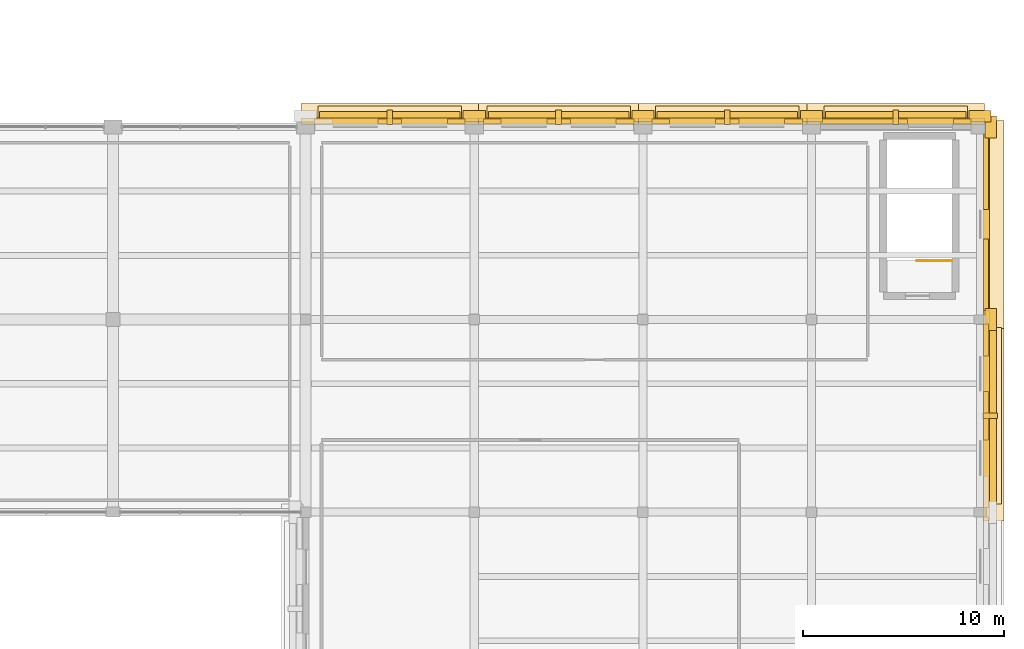
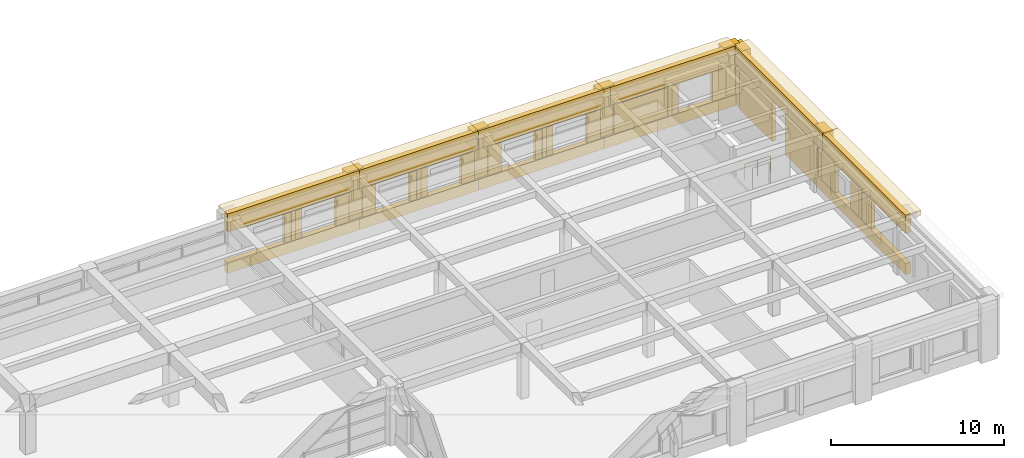
# One storey, part 62 of 62: 47 coverings, 5 shading devices, 1 railing.
"""IFC4 building model written with IfcOpenShell, lengths in metres."""

from ifc_helpers import new_model, si_unit, direction, frame, origin, origin_2d, place, context, subcontext, project, spatial, rectangle, circle, extrude, material, layer, layer_set, type_object, element, save


model = new_model("IFC4")

# Units and contexts
model_context = context("Model", 3, precision=1e-05, world=origin(), true_north=direction((0.0, 1.0)))
body_context = subcontext(model_context, "Body", "Model", "MODEL_VIEW")
ifc_project = project(units=[si_unit("LENGTHUNIT", "METRE"), si_unit("AREAUNIT", "SQUARE_METRE"), si_unit("VOLUMEUNIT", "CUBIC_METRE"), si_unit("PLANEANGLEUNIT", "RADIAN"), si_unit("MASSUNIT", "GRAM", prefix="KILO")], contexts=[model_context])

# Site, building, storey
site_placement = place(None, origin())
site = spatial("IfcSite", under=ifc_project, at=site_placement, CompositionType="ELEMENT")
building_placement = place(site_placement, origin())
building = spatial("IfcBuilding", under=site, at=building_placement, Name="Bempovik Park Faculty of Sciences", CompositionType="ELEMENT")
storey_placement = place(building_placement, frame((0.0, 0.0, 9.89990234375)))
storey = spatial("IfcBuildingStorey", under=building, at=storey_placement, Name="L02", CompositionType="ELEMENT", Elevation=9.89990234375)

# Coverings
ifc_material_1 = material(Name="Precast concrete C40/50", Category="concrete")
ifc_layer_1 = layer(ifc_material_1, 0.179931640625)
ifc_layer_set_1 = layer_set([ifc_layer_1], Name="Precast concrete C40/50")
covering_type_1 = type_object("IfcCoveringType", Name="CL-02 Classical Cornice Band 180mm", PredefinedType="CLADDING", material=ifc_layer_set_1)
covering_1_placement = place(storey_placement, frame((141.0, 87.635009765625, 3.83984375), z_axis=(0.0, 0.0, 1.0), x_axis=(1.0, 0.0, 0.0)))
element("IfcCovering", 1, at=covering_1_placement, inside=storey, type_object=covering_type_1, Name="L02 Classical Projecting Dentil Cornice EW-L02-7757", PredefinedType="CLADDING", context=body_context, shape_type="SweptSolid", body=[
    extrude(rectangle(XDim=8.845947265625, YDim=1.050048828125, at=origin_2d()), origin(), (0.0, 0.0, 1.0), 0.360107421875),
])
covering_2_placement = place(storey_placement, frame((141.0, 87.570068359375, 2.91015625), z_axis=(0.0, 0.0, 1.0), x_axis=(1.0, 0.0, 0.0)))
element("IfcCovering", 2, at=covering_2_placement, inside=storey, type_object=covering_type_1, Name="L02 Classical Stone Solar Window Hood EW-L02-7757", PredefinedType="CLADDING", context=body_context, shape_type="SweptSolid", body=[
    extrude(rectangle(XDim=7.14599609375, YDim=0.919921875, at=origin_2d()), origin(), (0.0, 0.0, 1.0), 0.219970703125),
])
covering_3_placement = place(storey_placement, frame((149.39990234375, 87.635009765625, 3.83984375), z_axis=(0.0, 0.0, 1.0), x_axis=(1.0, 0.0, 0.0)))
element("IfcCovering", 3, at=covering_3_placement, inside=storey, type_object=covering_type_1, Name="L02 Classical Projecting Dentil Cornice EW-L02-7771", PredefinedType="CLADDING", context=body_context, shape_type="SweptSolid", body=[
    extrude(rectangle(XDim=8.845947265625, YDim=1.050048828125, at=origin_2d()), origin(), (0.0, 0.0, 1.0), 0.360107421875),
])
covering_4_placement = place(storey_placement, frame((149.39990234375, 87.570068359375, 2.91015625), z_axis=(0.0, 0.0, 1.0), x_axis=(1.0, 0.0, 0.0)))
element("IfcCovering", 4, at=covering_4_placement, inside=storey, type_object=covering_type_1, Name="L02 Classical Stone Solar Window Hood EW-L02-7771", PredefinedType="CLADDING", context=body_context, shape_type="SweptSolid", body=[
    extrude(rectangle(XDim=7.14599609375, YDim=0.919921875, at=origin_2d()), origin(), (0.0, 0.0, 1.0), 0.219970703125),
])
covering_5_placement = place(storey_placement, frame((157.800048828125, 87.635009765625, 3.83984375), z_axis=(0.0, 0.0, 1.0), x_axis=(1.0, 0.0, 0.0)))
element("IfcCovering", 5, at=covering_5_placement, inside=storey, type_object=covering_type_1, Name="L02 Classical Projecting Dentil Cornice EW-L02-7784", PredefinedType="CLADDING", context=body_context, shape_type="SweptSolid", body=[
    extrude(rectangle(XDim=8.845947265625, YDim=1.050048828125, at=origin_2d()), origin(), (0.0, 0.0, 1.0), 0.360107421875),
])
covering_6_placement = place(storey_placement, frame((157.800048828125, 87.570068359375, 2.91015625), z_axis=(0.0, 0.0, 1.0), x_axis=(1.0, 0.0, 0.0)))
element("IfcCovering", 6, at=covering_6_placement, inside=storey, type_object=covering_type_1, Name="L02 Classical Stone Solar Window Hood EW-L02-7784", PredefinedType="CLADDING", context=body_context, shape_type="SweptSolid", body=[
    extrude(rectangle(XDim=7.14599609375, YDim=0.919921875, at=origin_2d()), origin(), (0.0, 0.0, 1.0), 0.219970703125),
])
covering_7_placement = place(storey_placement, frame((166.199951171875, 87.635009765625, 3.83984375), z_axis=(0.0, 0.0, 1.0), x_axis=(1.0, 0.0, 0.0)))
element("IfcCovering", 7, at=covering_7_placement, inside=storey, type_object=covering_type_1, Name="L02 Classical Projecting Dentil Cornice EW-L02-7797", PredefinedType="CLADDING", context=body_context, shape_type="SweptSolid", body=[
    extrude(rectangle(XDim=8.845947265625, YDim=1.050048828125, at=origin_2d()), origin(), (0.0, 0.0, 1.0), 0.360107421875),
])
covering_8_placement = place(storey_placement, frame((166.199951171875, 87.570068359375, 2.91015625), z_axis=(0.0, 0.0, 1.0), x_axis=(1.0, 0.0, 0.0)))
element("IfcCovering", 8, at=covering_8_placement, inside=storey, type_object=covering_type_1, Name="L02 Classical Stone Solar Window Hood EW-L02-7797", PredefinedType="CLADDING", context=body_context, shape_type="SweptSolid", body=[
    extrude(rectangle(XDim=7.14599609375, YDim=0.919921875, at=origin_2d()), origin(), (0.0, 0.0, 1.0), 0.219970703125),
])
covering_9_placement = place(storey_placement, frame((171.06494140625, 72.60009765625, 3.83984375), z_axis=(0.0, 0.0, 1.0), x_axis=(1.0, 0.0, 0.0)))
element("IfcCovering", 9, at=covering_9_placement, inside=storey, type_object=covering_type_1, Name="L02 Classical Projecting Dentil Cornice EW-L02-7822", PredefinedType="CLADDING", context=body_context, shape_type="SweptSolid", body=[
    extrude(rectangle(XDim=1.050048828125, YDim=10.486083984375, at=origin_2d()), origin(), (0.0, 0.0, 1.0), 0.360107421875),
])
covering_10_placement = place(storey_placement, frame((171.0, 72.60009765625, 2.91015625), z_axis=(0.0, 0.0, 1.0), x_axis=(1.0, 0.0, 0.0)))
element("IfcCovering", 10, at=covering_10_placement, inside=storey, type_object=covering_type_1, Name="L02 Classical Stone Solar Window Hood EW-L02-7822", PredefinedType="CLADDING", context=body_context, shape_type="SweptSolid", body=[
    extrude(rectangle(XDim=0.919921875, YDim=8.785888671875, at=origin_2d()), origin(), (0.0, 0.0, 1.0), 0.219970703125),
])
covering_11_placement = place(storey_placement, frame((171.06494140625, 82.139892578125, 3.83984375), z_axis=(0.0, 0.0, 1.0), x_axis=(1.0, 0.0, 0.0)))
element("IfcCovering", 11, at=covering_11_placement, inside=storey, type_object=covering_type_1, Name="L02 Classical Projecting Dentil Cornice EW-L02-7835", PredefinedType="CLADDING", context=body_context, shape_type="SweptSolid", body=[
    extrude(rectangle(XDim=1.050048828125, YDim=10.365966796875, at=origin_2d()), origin(), (0.0, 0.0, 1.0), 0.360107421875),
])
ifc_material_2 = material(Name="White reconstituted limestone precast C40/50", Category="masonry")
ifc_layer_2 = layer(ifc_material_2, 0.239990234375)
ifc_layer_set_2 = layer_set([ifc_layer_2], Name="White reconstituted limestone precast C40/50")
covering_type_2 = type_object("IfcCoveringType", Name="CL-03 Classical Fluted Limestone Pilaster 240mm", PredefinedType="CLADDING", material=ifc_layer_set_2)
covering_12_placement = place(storey_placement, frame((141.0, 87.280029296875, 2.919921875), z_axis=(0.0, 0.0, 1.0), x_axis=(1.0, 0.0, 0.0)))
element("IfcCovering", 12, at=covering_12_placement, inside=storey, type_object=covering_type_2, Name="L02 Classical Limestone Spandrel Entablature EW-L02-7757", PredefinedType="CLADDING", context=body_context, shape_type="SweptSolid", body=[
    extrude(rectangle(XDim=8.845947265625, YDim=0.340087890625, at=origin_2d()), origin(), (0.0, 0.0, 1.0), 1.280029296875),
])
covering_13_placement = place(storey_placement, frame((141.0, 87.280029296875, 0.0), z_axis=(0.0, 0.0, 1.0), x_axis=(1.0, 0.0, 0.0)))
element("IfcCovering", 13, at=covering_13_placement, inside=storey, type_object=covering_type_2, Name="L02 Classical Limestone Sill Dado EW-L02-7757", PredefinedType="CLADDING", context=body_context, shape_type="SweptSolid", body=[
    extrude(rectangle(XDim=8.845947265625, YDim=0.340087890625, at=origin_2d()), origin(), (0.0, 0.0, 1.0), 0.780029296875),
])
covering_14_placement = place(storey_placement, frame((145.199951171875, 87.530029296875, 0.0), z_axis=(0.0, 0.0, 1.0), x_axis=(1.0, 0.0, 0.0)))
element("IfcCovering", 14, at=covering_14_placement, inside=storey, type_object=covering_type_2, Name="L02 Classical Fluted Stone Pilaster PIL-BA-L02-1452-875", PredefinedType="CLADDING", context=body_context, shape_type="SweptSolid", body=[
    extrude(rectangle(XDim=1.10009765625, YDim=0.580078125, at=origin_2d()), origin(), (0.0, 0.0, 1.0), 4.199951171875),
])
covering_15_placement = place(storey_placement, frame((141.0, 87.27001953125, 0.0), z_axis=(0.0, 0.0, 1.0), x_axis=(1.0, 0.0, 0.0)))
element("IfcCovering", 15, at=covering_15_placement, inside=storey, type_object=covering_type_2, Name="L02 White Limestone Wall Cheek EW-L02-7757-2", PredefinedType="CLADDING", context=body_context, shape_type="SweptSolid", body=[
    extrude(rectangle(XDim=1.168212890625, YDim=0.239990234375, at=origin_2d()), origin(), (0.0, 0.0, 1.0), 3.080078125),
])
covering_16_placement = place(storey_placement, frame((144.305908203125, 87.27001953125, 0.0), z_axis=(0.0, 0.0, 1.0), x_axis=(1.0, 0.0, 0.0)))
element("IfcCovering", 16, at=covering_16_placement, inside=storey, type_object=covering_type_2, Name="L02 White Limestone Wall Cheek EW-L02-7757-4", PredefinedType="CLADDING", context=body_context, shape_type="SweptSolid", body=[
    extrude(rectangle(XDim=0.8837890625, YDim=0.239990234375, at=origin_2d()), origin(), (0.0, 0.0, 1.0), 3.080078125),
])
covering_17_placement = place(storey_placement, frame((141.0, 87.47998046875, 0.64990234375), z_axis=(0.0, 0.0, 1.0), x_axis=(1.0, 0.0, 0.0)))
element("IfcCovering", 17, at=covering_17_placement, inside=storey, type_object=covering_type_2, Name="L02 Classical Vertical Stone Shading Fin EW-L02-7757", PredefinedType="CLADDING", context=body_context, shape_type="SweptSolid", body=[
    extrude(rectangle(XDim=0.280029296875, YDim=0.719970703125, at=origin_2d()), origin(), (0.0, 0.0, 1.0), 2.300048828125),
])
covering_18_placement = place(storey_placement, frame((149.39990234375, 87.280029296875, 2.919921875), z_axis=(0.0, 0.0, 1.0), x_axis=(1.0, 0.0, 0.0)))
element("IfcCovering", 18, at=covering_18_placement, inside=storey, type_object=covering_type_2, Name="L02 Classical Limestone Spandrel Entablature EW-L02-7771", PredefinedType="CLADDING", context=body_context, shape_type="SweptSolid", body=[
    extrude(rectangle(XDim=8.845947265625, YDim=0.340087890625, at=origin_2d()), origin(), (0.0, 0.0, 1.0), 1.280029296875),
])
covering_19_placement = place(storey_placement, frame((149.39990234375, 87.280029296875, 0.0), z_axis=(0.0, 0.0, 1.0), x_axis=(1.0, 0.0, 0.0)))
element("IfcCovering", 19, at=covering_19_placement, inside=storey, type_object=covering_type_2, Name="L02 Classical Limestone Sill Dado EW-L02-7771", PredefinedType="CLADDING", context=body_context, shape_type="SweptSolid", body=[
    extrude(rectangle(XDim=8.845947265625, YDim=0.340087890625, at=origin_2d()), origin(), (0.0, 0.0, 1.0), 0.780029296875),
])
covering_20_placement = place(storey_placement, frame((153.60009765625, 87.530029296875, 0.0), z_axis=(0.0, 0.0, 1.0), x_axis=(1.0, 0.0, 0.0)))
element("IfcCovering", 20, at=covering_20_placement, inside=storey, type_object=covering_type_2, Name="L02 Classical Fluted Stone Pilaster PIL-BA-L02-1536-875", PredefinedType="CLADDING", context=body_context, shape_type="SweptSolid", body=[
    extrude(rectangle(XDim=1.10009765625, YDim=0.580078125, at=origin_2d()), origin(), (0.0, 0.0, 1.0), 4.199951171875),
])
covering_21_placement = place(storey_placement, frame((146.093994140625, 87.27001953125, 0.0), z_axis=(0.0, 0.0, 1.0), x_axis=(1.0, 0.0, 0.0)))
element("IfcCovering", 21, at=covering_21_placement, inside=storey, type_object=covering_type_2, Name="L02 White Limestone Wall Cheek EW-L02-7771-0", PredefinedType="CLADDING", context=body_context, shape_type="SweptSolid", body=[
    extrude(rectangle(XDim=0.8837890625, YDim=0.239990234375, at=origin_2d()), origin(), (0.0, 0.0, 1.0), 3.080078125),
])
covering_22_placement = place(storey_placement, frame((149.39990234375, 87.27001953125, 0.0), z_axis=(0.0, 0.0, 1.0), x_axis=(1.0, 0.0, 0.0)))
element("IfcCovering", 22, at=covering_22_placement, inside=storey, type_object=covering_type_2, Name="L02 White Limestone Wall Cheek EW-L02-7771-2", PredefinedType="CLADDING", context=body_context, shape_type="SweptSolid", body=[
    extrude(rectangle(XDim=1.168212890625, YDim=0.239990234375, at=origin_2d()), origin(), (0.0, 0.0, 1.0), 3.080078125),
])
covering_23_placement = place(storey_placement, frame((152.7060546875, 87.27001953125, 0.0), z_axis=(0.0, 0.0, 1.0), x_axis=(1.0, 0.0, 0.0)))
element("IfcCovering", 23, at=covering_23_placement, inside=storey, type_object=covering_type_2, Name="L02 White Limestone Wall Cheek EW-L02-7771-4", PredefinedType="CLADDING", context=body_context, shape_type="SweptSolid", body=[
    extrude(rectangle(XDim=0.8837890625, YDim=0.239990234375, at=origin_2d()), origin(), (0.0, 0.0, 1.0), 3.080078125),
])
covering_24_placement = place(storey_placement, frame((149.39990234375, 87.47998046875, 0.64990234375), z_axis=(0.0, 0.0, 1.0), x_axis=(1.0, 0.0, 0.0)))
element("IfcCovering", 24, at=covering_24_placement, inside=storey, type_object=covering_type_2, Name="L02 Classical Vertical Stone Shading Fin EW-L02-7771", PredefinedType="CLADDING", context=body_context, shape_type="SweptSolid", body=[
    extrude(rectangle(XDim=0.280029296875, YDim=0.719970703125, at=origin_2d()), origin(), (0.0, 0.0, 1.0), 2.300048828125),
])
covering_25_placement = place(storey_placement, frame((157.800048828125, 87.280029296875, 2.919921875), z_axis=(0.0, 0.0, 1.0), x_axis=(1.0, 0.0, 0.0)))
element("IfcCovering", 25, at=covering_25_placement, inside=storey, type_object=covering_type_2, Name="L02 Classical Limestone Spandrel Entablature EW-L02-7784", PredefinedType="CLADDING", context=body_context, shape_type="SweptSolid", body=[
    extrude(rectangle(XDim=8.845947265625, YDim=0.340087890625, at=origin_2d()), origin(), (0.0, 0.0, 1.0), 1.280029296875),
])
covering_26_placement = place(storey_placement, frame((157.800048828125, 87.280029296875, 0.0), z_axis=(0.0, 0.0, 1.0), x_axis=(1.0, 0.0, 0.0)))
element("IfcCovering", 26, at=covering_26_placement, inside=storey, type_object=covering_type_2, Name="L02 Classical Limestone Sill Dado EW-L02-7784", PredefinedType="CLADDING", context=body_context, shape_type="SweptSolid", body=[
    extrude(rectangle(XDim=8.845947265625, YDim=0.340087890625, at=origin_2d()), origin(), (0.0, 0.0, 1.0), 0.780029296875),
])
covering_27_placement = place(storey_placement, frame((162.0, 87.530029296875, 0.0), z_axis=(0.0, 0.0, 1.0), x_axis=(1.0, 0.0, 0.0)))
element("IfcCovering", 27, at=covering_27_placement, inside=storey, type_object=covering_type_2, Name="L02 Classical Fluted Stone Pilaster PIL-BA-L02-1620-875", PredefinedType="CLADDING", context=body_context, shape_type="SweptSolid", body=[
    extrude(rectangle(XDim=1.10009765625, YDim=0.580078125, at=origin_2d()), origin(), (0.0, 0.0, 1.0), 4.199951171875),
])
covering_28_placement = place(storey_placement, frame((154.493896484375, 87.27001953125, 0.0), z_axis=(0.0, 0.0, 1.0), x_axis=(1.0, 0.0, 0.0)))
element("IfcCovering", 28, at=covering_28_placement, inside=storey, type_object=covering_type_2, Name="L02 White Limestone Wall Cheek EW-L02-7784-0", PredefinedType="CLADDING", context=body_context, shape_type="SweptSolid", body=[
    extrude(rectangle(XDim=0.8837890625, YDim=0.239990234375, at=origin_2d()), origin(), (0.0, 0.0, 1.0), 3.080078125),
])
covering_29_placement = place(storey_placement, frame((157.800048828125, 87.27001953125, 0.0), z_axis=(0.0, 0.0, 1.0), x_axis=(1.0, 0.0, 0.0)))
element("IfcCovering", 29, at=covering_29_placement, inside=storey, type_object=covering_type_2, Name="L02 White Limestone Wall Cheek EW-L02-7784-2", PredefinedType="CLADDING", context=body_context, shape_type="SweptSolid", body=[
    extrude(rectangle(XDim=1.168212890625, YDim=0.239990234375, at=origin_2d()), origin(), (0.0, 0.0, 1.0), 3.080078125),
])
covering_30_placement = place(storey_placement, frame((161.10595703125, 87.27001953125, 0.0), z_axis=(0.0, 0.0, 1.0), x_axis=(1.0, 0.0, 0.0)))
element("IfcCovering", 30, at=covering_30_placement, inside=storey, type_object=covering_type_2, Name="L02 White Limestone Wall Cheek EW-L02-7784-4", PredefinedType="CLADDING", context=body_context, shape_type="SweptSolid", body=[
    extrude(rectangle(XDim=0.8837890625, YDim=0.239990234375, at=origin_2d()), origin(), (0.0, 0.0, 1.0), 3.080078125),
])
covering_31_placement = place(storey_placement, frame((157.800048828125, 87.47998046875, 0.64990234375), z_axis=(0.0, 0.0, 1.0), x_axis=(1.0, 0.0, 0.0)))
element("IfcCovering", 31, at=covering_31_placement, inside=storey, type_object=covering_type_2, Name="L02 Classical Vertical Stone Shading Fin EW-L02-7784", PredefinedType="CLADDING", context=body_context, shape_type="SweptSolid", body=[
    extrude(rectangle(XDim=0.280029296875, YDim=0.719970703125, at=origin_2d()), origin(), (0.0, 0.0, 1.0), 2.300048828125),
])
covering_32_placement = place(storey_placement, frame((166.199951171875, 87.280029296875, 2.919921875), z_axis=(0.0, 0.0, 1.0), x_axis=(1.0, 0.0, 0.0)))
element("IfcCovering", 32, at=covering_32_placement, inside=storey, type_object=covering_type_2, Name="L02 Classical Limestone Spandrel Entablature EW-L02-7797", PredefinedType="CLADDING", context=body_context, shape_type="SweptSolid", body=[
    extrude(rectangle(XDim=8.845947265625, YDim=0.340087890625, at=origin_2d()), origin(), (0.0, 0.0, 1.0), 1.280029296875),
])
covering_33_placement = place(storey_placement, frame((166.199951171875, 87.280029296875, 0.0), z_axis=(0.0, 0.0, 1.0), x_axis=(1.0, 0.0, 0.0)))
element("IfcCovering", 33, at=covering_33_placement, inside=storey, type_object=covering_type_2, Name="L02 Classical Limestone Sill Dado EW-L02-7797", PredefinedType="CLADDING", context=body_context, shape_type="SweptSolid", body=[
    extrude(rectangle(XDim=8.845947265625, YDim=0.340087890625, at=origin_2d()), origin(), (0.0, 0.0, 1.0), 0.780029296875),
])
covering_34_placement = place(storey_placement, frame((170.39990234375, 87.530029296875, 0.0), z_axis=(0.0, 0.0, 1.0), x_axis=(1.0, 0.0, 0.0)))
element("IfcCovering", 34, at=covering_34_placement, inside=storey, type_object=covering_type_2, Name="L02 Classical Fluted Stone Pilaster PIL-BA-L02-1704-875", PredefinedType="CLADDING", context=body_context, shape_type="SweptSolid", body=[
    extrude(rectangle(XDim=1.10009765625, YDim=0.580078125, at=origin_2d()), origin(), (0.0, 0.0, 1.0), 4.199951171875),
])
covering_35_placement = place(storey_placement, frame((164.6181640625, 87.27001953125, 0.0), z_axis=(0.0, 0.0, 1.0), x_axis=(1.0, 0.0, 0.0)))
element("IfcCovering", 35, at=covering_35_placement, inside=storey, type_object=covering_type_2, Name="L02 White Limestone Wall Cheek EW-L02-7797-0", PredefinedType="CLADDING", context=body_context, shape_type="SweptSolid", body=[
    extrude(rectangle(XDim=4.33203125, YDim=0.239990234375, at=origin_2d()), origin(), (0.0, 0.0, 1.0), 3.080078125),
])
covering_36_placement = place(storey_placement, frame((169.506103515625, 87.27001953125, 0.0), z_axis=(0.0, 0.0, 1.0), x_axis=(1.0, 0.0, 0.0)))
element("IfcCovering", 36, at=covering_36_placement, inside=storey, type_object=covering_type_2, Name="L02 White Limestone Wall Cheek EW-L02-7797-2", PredefinedType="CLADDING", context=body_context, shape_type="SweptSolid", body=[
    extrude(rectangle(XDim=0.8837890625, YDim=0.239990234375, at=origin_2d()), origin(), (0.0, 0.0, 1.0), 3.080078125),
])
covering_37_placement = place(storey_placement, frame((166.199951171875, 87.47998046875, 0.64990234375), z_axis=(0.0, 0.0, 1.0), x_axis=(1.0, 0.0, 0.0)))
element("IfcCovering", 37, at=covering_37_placement, inside=storey, type_object=covering_type_2, Name="L02 Classical Vertical Stone Shading Fin EW-L02-7797", PredefinedType="CLADDING", context=body_context, shape_type="SweptSolid", body=[
    extrude(rectangle(XDim=0.280029296875, YDim=0.719970703125, at=origin_2d()), origin(), (0.0, 0.0, 1.0), 2.300048828125),
])
covering_38_placement = place(storey_placement, frame((170.7099609375, 72.60009765625, 2.919921875), z_axis=(0.0, 0.0, 1.0), x_axis=(1.0, 0.0, 0.0)))
element("IfcCovering", 38, at=covering_38_placement, inside=storey, type_object=covering_type_2, Name="L02 Classical Limestone Spandrel Entablature EW-L02-7822", PredefinedType="CLADDING", context=body_context, shape_type="SweptSolid", body=[
    extrude(rectangle(XDim=0.340087890625, YDim=10.486083984375, at=origin_2d()), origin(), (0.0, 0.0, 1.0), 1.280029296875),
])
covering_39_placement = place(storey_placement, frame((170.7099609375, 72.60009765625, 0.0), z_axis=(0.0, 0.0, 1.0), x_axis=(1.0, 0.0, 0.0)))
element("IfcCovering", 39, at=covering_39_placement, inside=storey, type_object=covering_type_2, Name="L02 Classical Limestone Sill Dado EW-L02-7822", PredefinedType="CLADDING", context=body_context, shape_type="SweptSolid", body=[
    extrude(rectangle(XDim=0.340087890625, YDim=10.486083984375, at=origin_2d()), origin(), (0.0, 0.0, 1.0), 0.780029296875),
])
covering_40_placement = place(storey_placement, frame((170.929931640625, 77.39990234375, 0.0), z_axis=(0.0, 0.0, 1.0), x_axis=(1.0, 0.0, 0.0)))
element("IfcCovering", 40, at=covering_40_placement, inside=storey, type_object=covering_type_2, Name="L02 Classical Fluted Stone Pilaster PIL-BA-L02-1709-774", PredefinedType="CLADDING", context=body_context, shape_type="SweptSolid", body=[
    extrude(rectangle(XDim=0.580078125, YDim=1.10009765625, at=origin_2d()), origin(), (0.0, 0.0, 1.0), 4.199951171875),
])
covering_41_placement = place(storey_placement, frame((170.699951171875, 72.60009765625, 0.0), z_axis=(0.0, 0.0, 1.0), x_axis=(1.0, 0.0, 0.0)))
element("IfcCovering", 41, at=covering_41_placement, inside=storey, type_object=covering_type_2, Name="L02 White Limestone Wall Cheek EW-L02-7822-2", PredefinedType="CLADDING", context=body_context, shape_type="SweptSolid", body=[
    extrude(rectangle(XDim=0.239990234375, YDim=2.422607421875, at=origin_2d()), origin(), (0.0, 0.0, 1.0), 3.080078125),
])
covering_42_placement = place(storey_placement, frame((170.699951171875, 76.379638671875, 0.0), z_axis=(0.0, 0.0, 1.0), x_axis=(1.0, 0.0, 0.0)))
element("IfcCovering", 42, at=covering_42_placement, inside=storey, type_object=covering_type_2, Name="L02 White Limestone Wall Cheek EW-L02-7822-4", PredefinedType="CLADDING", context=body_context, shape_type="SweptSolid", body=[
    extrude(rectangle(XDim=0.239990234375, YDim=1.57666015625, at=origin_2d()), origin(), (0.0, 0.0, 1.0), 3.080078125),
])
covering_43_placement = place(storey_placement, frame((170.909912109375, 72.60009765625, 0.7001953125), z_axis=(0.0, 0.0, 1.0), x_axis=(1.0, 0.0, 0.0)))
element("IfcCovering", 43, at=covering_43_placement, inside=storey, type_object=covering_type_2, Name="L02 Classical Vertical Stone Shading Fin EW-L02-7822", PredefinedType="CLADDING", context=body_context, shape_type="SweptSolid", body=[
    extrude(rectangle(XDim=0.719970703125, YDim=0.280029296875, at=origin_2d()), origin(), (0.0, 0.0, 1.0), 2.25),
])
covering_44_placement = place(storey_placement, frame((170.7099609375, 82.139892578125, 2.919921875), z_axis=(0.0, 0.0, 1.0), x_axis=(1.0, 0.0, 0.0)))
element("IfcCovering", 44, at=covering_44_placement, inside=storey, type_object=covering_type_2, Name="L02 Classical Limestone Spandrel Entablature EW-L02-7835", PredefinedType="CLADDING", context=body_context, shape_type="SweptSolid", body=[
    extrude(rectangle(XDim=0.340087890625, YDim=10.365966796875, at=origin_2d()), origin(), (0.0, 0.0, 1.0), 1.280029296875),
])
covering_45_placement = place(storey_placement, frame((170.929931640625, 87.0, 0.0), z_axis=(0.0, 0.0, 1.0), x_axis=(1.0, 0.0, 0.0)))
element("IfcCovering", 45, at=covering_45_placement, inside=storey, type_object=covering_type_2, Name="L02 Classical Fluted Stone Pilaster PIL-BA-L02-1709-870", PredefinedType="CLADDING", context=body_context, shape_type="SweptSolid", body=[
    extrude(rectangle(XDim=0.580078125, YDim=1.10009765625, at=origin_2d()), origin(), (0.0, 0.0, 1.0), 4.199951171875),
])
for number, where, z_axis, x_axis, name in (
    (46, (170.699951171875, 79.51611328125, 0.0), (0.0, 0.0, 1.0), (1.0, 0.0, 0.0), "L02 Stairwell White Limestone Cheek EW-L02-7835-1"),
    (47, (170.699951171875, 84.763916015625, 0.0), (0.0, 0.0, 1.0), (1.0, 0.0, 0.0), "L02 Stairwell White Limestone Cheek EW-L02-7835-2"),
):
    element("IfcCovering", number, at=place(storey_placement, frame(where, z_axis=z_axis, x_axis=x_axis)), inside=storey, type_object=covering_type_2, Name=name, PredefinedType="CLADDING", context=body_context, shape_type="SweptSolid", body=[
        extrude(rectangle(XDim=0.239990234375, YDim=3.76806640625, at=origin_2d()), origin(), (0.0, 0.0, 1.0), 3.080078125),
    ])

# Railing
ifc_material_3 = material(Name="Anodised architectural bronze")
railing_type = type_object("IfcRailingType", Name="GR-01 Guardrail 1120mm", PredefinedType="GUARDRAIL", material=ifc_material_3)
railing_placement = place(storey_placement, frame((169.0, 80.324951171875, 0.0)))
element("IfcRailing", 48, at=railing_placement, inside=storey, type_object=railing_type, Name="L02 ST-6 Top Well Guard 1", PredefinedType="GUARDRAIL", context=body_context, shape_type="SweptSolid", body=[
    extrude(circle(Radius=0.02392578125, at=origin_2d()), frame((0.0, 0.0, 1.09619140625), z_axis=(-1.0, 0.0, 0.0), x_axis=(0.0, -1.0, 0.0)), (0.0, 0.0, 1.0), 1.75),
    extrude(circle(Radius=0.02099609375, at=origin_2d()), origin(), (0.0, 0.0, 1.0), 1.072021484375),
    extrude(circle(Radius=0.02099609375, at=origin_2d()), frame((-0.875, 0.0, 0.0)), (0.0, 0.0, 1.0), 1.072021484375),
    extrude(circle(Radius=0.02099609375, at=origin_2d()), frame((-1.75, 0.0, 0.0)), (0.0, 0.0, 1.0), 1.072021484375),
])

# Shading devices
ifc_layer_3 = layer(ifc_material_3, 0.06005859375)
ifc_layer_set_3 = layer_set([ifc_layer_3], Name="Anodised architectural bronze")
shading_device_type = type_object("IfcShadingDeviceType", Name="SH-01 Bronze Brise-Soleil Fin", PredefinedType="USERDEFINED", material=ifc_layer_set_3)
for number, where, z_axis, x_axis, name in (
    (49, (141.0, 87.449951171875, 2.85009765625), (0.0, 0.0, 1.0), (1.0, 0.0, 0.0), "L02 Equatorial Bronze Brise-Soleil EW-L02-7757"),
    (50, (149.39990234375, 87.449951171875, 2.85009765625), (0.0, 0.0, 1.0), (1.0, 0.0, 0.0), "L02 Equatorial Bronze Brise-Soleil EW-L02-7771"),
    (51, (157.800048828125, 87.449951171875, 2.85009765625), (0.0, 0.0, 1.0), (1.0, 0.0, 0.0), "L02 Equatorial Bronze Brise-Soleil EW-L02-7784"),
    (52, (166.199951171875, 87.449951171875, 2.85009765625), (0.0, 0.0, 1.0), (1.0, 0.0, 0.0), "L02 Equatorial Bronze Brise-Soleil EW-L02-7797"),
):
    element("IfcShadingDevice", number, at=place(storey_placement, frame(where, z_axis=z_axis, x_axis=x_axis)), inside=storey, type_object=shading_device_type, Name=name, ObjectType="BRISE SOLEIL", PredefinedType="USERDEFINED", context=body_context, shape_type="SweptSolid", body=[
        extrude(rectangle(XDim=6.99609375, YDim=0.64990234375, at=origin_2d()), origin(), (0.0, 0.0, 1.0), 0.06005859375),
    ])
shading_device_placement = place(storey_placement, frame((170.8798828125, 72.60009765625, 2.85009765625), z_axis=(0.0, 0.0, 1.0), x_axis=(1.0, 0.0, 0.0)))
element("IfcShadingDevice", 53, at=shading_device_placement, inside=storey, type_object=shading_device_type, Name="L02 Equatorial Bronze Brise-Soleil EW-L02-7822", ObjectType="BRISE SOLEIL", PredefinedType="USERDEFINED", context=body_context, shape_type="SweptSolid", body=[
    extrude(rectangle(XDim=0.64990234375, YDim=8.635986328125, at=origin_2d()), origin(), (0.0, 0.0, 1.0), 0.06005859375),
])

save(model, "model.ifc")
